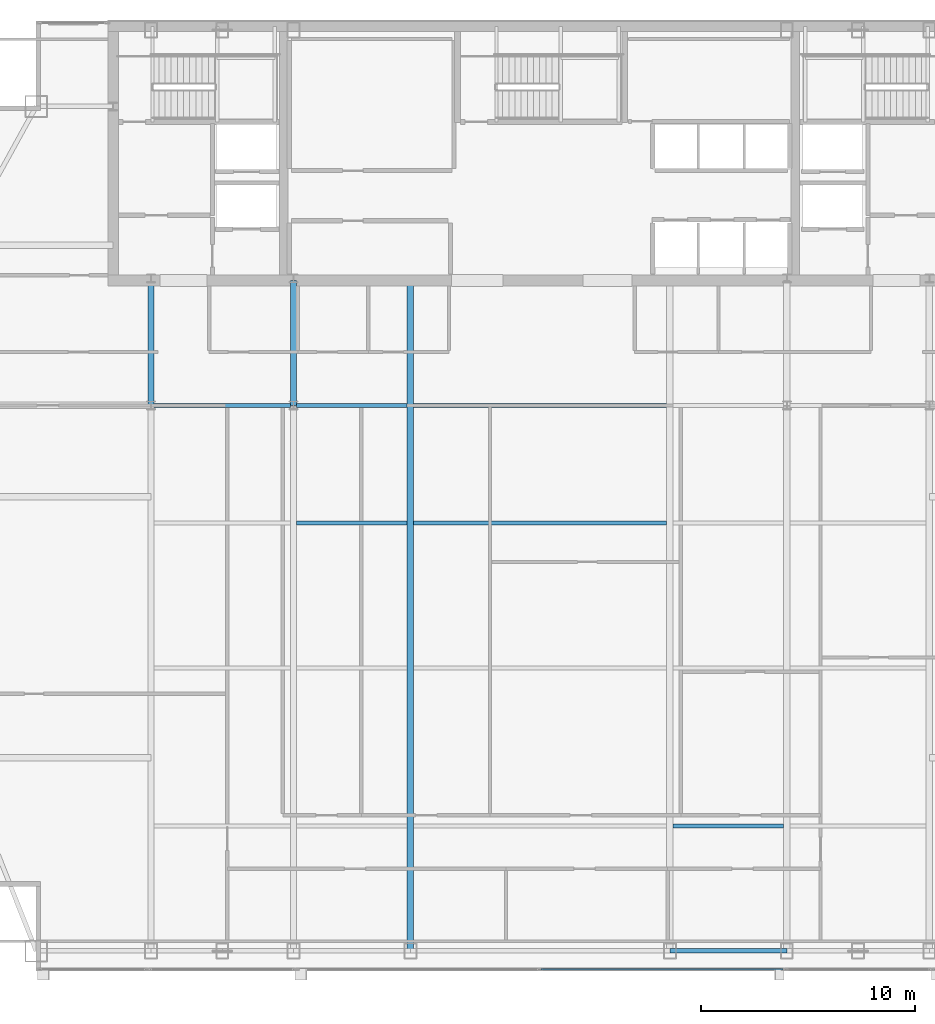
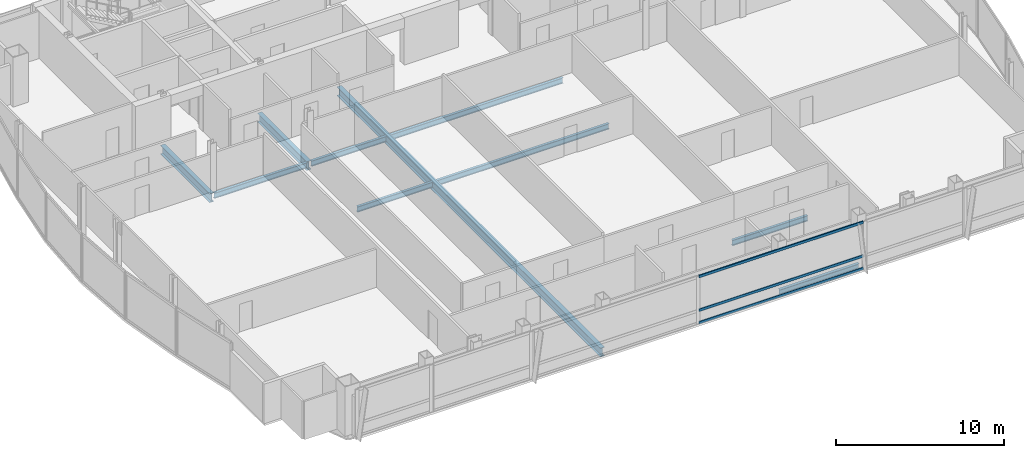
# One storey, part 13 of 30: 10 beams, 3 members, 1 element without a shape of its own.
"""IFC4 building model written with IfcOpenShell, lengths in metres."""

from ifc_helpers import new_model, si_unit, direction, frame, origin, origin_2d, place, context, subcontext, project, spatial, hollow_rectangle, i_section, extrude, material, material_profile, profile_set, type_object, element, aggregate, save


model = new_model("IFC4")

# Units and contexts
model_context = context("Model", 3, precision=1e-05, world=origin(), true_north=direction((0.0, 1.0)))
body_context = subcontext(model_context, "Body", "Model", "MODEL_VIEW")
ifc_project = project(units=[si_unit("LENGTHUNIT", "METRE"), si_unit("AREAUNIT", "SQUARE_METRE"), si_unit("VOLUMEUNIT", "CUBIC_METRE"), si_unit("PLANEANGLEUNIT", "RADIAN"), si_unit("MASSUNIT", "GRAM", prefix="KILO")], contexts=[model_context])

# Site, building, storey
site_placement = place(None, origin())
site = spatial("IfcSite", under=ifc_project, at=site_placement, CompositionType="ELEMENT")
building_placement = place(site_placement, origin())
building = spatial("IfcBuilding", under=site, at=building_placement, Name="Khoronbel Lancet Exchange", CompositionType="ELEMENT")
storey_placement = place(building_placement, frame((0.0, 0.0, 269.800048828125)))
storey = spatial("IfcBuildingStorey", under=building, at=storey_placement, Name="L69", CompositionType="ELEMENT", Elevation=269.800048828125)

# Beams
ifc_material_1 = material(Name="Steel S355", Category="steel")
ifc_material_profile_1 = material_profile(ifc_material_1, i_section(OverallWidth=0.300048828125, OverallDepth=0.64990234375, WebThickness=0.01611328125, FlangeThickness=0.031005859375, at=origin_2d()), Name="HEB 650")
ifc_profile_set_1 = profile_set([ifc_material_profile_1], Name="Steel S355")
beam_type_1 = type_object("IfcBeamType", Name="BM-BG4", PredefinedType="BEAM", material=ifc_profile_set_1)
for number, where, z_axis, x_axis, name in (
    (1, (18.22509765625, 35.699951171875, -0.485107421875), (0.0, 1.0, 0.0), (-1.0, 0.0, 0.0), "Level L69 spine tie girder GN1"),
    (2, (24.89990234375, 35.699951171875, -0.485107421875), (0.0, 1.0, 0.0), (-1.0, 0.0, 0.0), "Level L69 spine tie girder GN2"),
):
    element("IfcBeam", number, at=place(storey_placement, frame(where, z_axis=z_axis, x_axis=x_axis)), inside=storey, type_object=beam_type_1, Name=name, PredefinedType="BEAM", context=body_context, shape_type="SweptSolid", body=[
        extrude(i_section(OverallWidth=0.300048828125, OverallDepth=0.64990234375, WebThickness=0.01611328125, FlangeThickness=0.031005859375, at=origin_2d()), origin(), (0.0, 0.0, 1.0), 5.85009765625),
    ])
beam_1_placement = place(storey_placement, frame((30.375, 10.14990234375, -0.485107421875), z_axis=(0.0, 1.0, 0.0), x_axis=(-1.0, 0.0, 0.0)))
element("IfcBeam", 3, at=beam_1_placement, inside=storey, type_object=beam_type_1, Name="Level L69 primary floor girder G3", PredefinedType="BEAM", context=body_context, shape_type="SweptSolid", body=[
    extrude(i_section(OverallWidth=0.300048828125, OverallDepth=0.64990234375, WebThickness=0.01611328125, FlangeThickness=0.031005859375, at=origin_2d()), origin(), (0.0, 0.0, 1.0), 31.400146484375),
])
ifc_material_profile_2 = material_profile(ifc_material_1, i_section(OverallWidth=0.179931640625, OverallDepth=0.39990234375, WebThickness=0.008544921875, FlangeThickness=0.013427734375, at=origin_2d()), Name="IPE 400")
ifc_profile_set_2 = profile_set([ifc_material_profile_2], Name="Steel S355")
beam_type_2 = type_object("IfcBeamType", Name="BM-BJ5", PredefinedType="JOIST", material=ifc_profile_set_2)
for number, where, z_axis, x_axis, name in (
    (4, (42.675048828125, 16.0, -0.360107421875), (1.0, 0.0, 0.0), (0.0, 1.0, 0.0), "Level L69 secondary composite joist J04"),
    (5, (25.050048828125, 30.199951171875, -0.360107421875), (1.0, 0.0, 0.0), (0.0, 1.0, 0.0), "Level L69 secondary composite joist J12"),
):
    element("IfcBeam", number, at=place(storey_placement, frame(where, z_axis=z_axis, x_axis=x_axis)), inside=storey, type_object=beam_type_2, Name=name, PredefinedType="JOIST", context=body_context, shape_type="SweptSolid", body=[
        extrude(i_section(OverallWidth=0.179931640625, OverallDepth=0.39990234375, WebThickness=0.008544921875, FlangeThickness=0.013427734375, at=origin_2d()), origin(), (0.0, 0.0, 1.0), 5.175048828125),
    ])
beam_2_placement = place(storey_placement, frame((30.52490234375, 30.199951171875, -0.360107421875), z_axis=(1.0, 0.0, 0.0), x_axis=(0.0, 1.0, 0.0)))
element("IfcBeam", 6, at=beam_2_placement, inside=storey, type_object=beam_type_2, Name="Level L69 secondary composite joist J13", PredefinedType="JOIST", context=body_context, shape_type="SweptSolid", body=[
    extrude(i_section(OverallWidth=0.179931640625, OverallDepth=0.39990234375, WebThickness=0.008544921875, FlangeThickness=0.013427734375, at=origin_2d()), origin(), (0.0, 0.0, 1.0), 11.85009765625),
])
beam_3_placement = place(storey_placement, frame((18.375, 35.699951171875, -0.360107421875), z_axis=(1.0, 0.0, 0.0), x_axis=(0.0, 1.0, 0.0)))
element("IfcBeam", 7, at=beam_3_placement, inside=storey, type_object=beam_type_2, Name="Level L69 secondary composite joist J16", PredefinedType="JOIST", context=body_context, shape_type="SweptSolid", body=[
    extrude(i_section(OverallWidth=0.179931640625, OverallDepth=0.39990234375, WebThickness=0.008544921875, FlangeThickness=0.013427734375, at=origin_2d()), origin(), (0.0, 0.0, 1.0), 6.375),
])
beam_4_placement = place(storey_placement, frame((25.050048828125, 35.699951171875, -0.360107421875), z_axis=(1.0, 0.0, 0.0), x_axis=(0.0, 1.0, 0.0)))
element("IfcBeam", 8, at=beam_4_placement, inside=storey, type_object=beam_type_2, Name="Level L69 secondary composite joist J17", PredefinedType="JOIST", context=body_context, shape_type="SweptSolid", body=[
    extrude(i_section(OverallWidth=0.179931640625, OverallDepth=0.39990234375, WebThickness=0.008544921875, FlangeThickness=0.013427734375, at=origin_2d()), origin(), (0.0, 0.0, 1.0), 5.175048828125),
])
beam_5_placement = place(storey_placement, frame((30.52490234375, 35.699951171875, -0.360107421875), z_axis=(1.0, 0.0, 0.0), x_axis=(0.0, 1.0, 0.0)))
element("IfcBeam", 9, at=beam_5_placement, inside=storey, type_object=beam_type_2, Name="Level L69 secondary composite joist J18", PredefinedType="JOIST", context=body_context, shape_type="SweptSolid", body=[
    extrude(i_section(OverallWidth=0.179931640625, OverallDepth=0.39990234375, WebThickness=0.008544921875, FlangeThickness=0.013427734375, at=origin_2d()), origin(), (0.0, 0.0, 1.0), 11.85009765625),
])
ifc_material_profile_3 = material_profile(ifc_material_1, i_section(OverallWidth=0.2099609375, OverallDepth=0.550048828125, WebThickness=0.010986328125, FlangeThickness=0.01708984375, at=origin_2d()), Name="IPE 550")
ifc_profile_set_3 = profile_set([ifc_material_profile_3], Name="Steel S355")
beam_type_3 = type_object("IfcBeamType", Name="BM-BSP3", PredefinedType="SPANDREL", material=ifc_profile_set_3)
beam_6_placement = place(storey_placement, frame((42.52490234375, 10.14990234375, -0.43505859375), z_axis=(1.0, 0.0, 0.0), x_axis=(0.0, 1.0, 0.0)))
element("IfcBeam", 10, at=beam_6_placement, inside=storey, type_object=beam_type_3, Name="Level L69 perimeter spandrel beam SP06", PredefinedType="SPANDREL", context=body_context, shape_type="SweptSolid", body=[
    extrude(i_section(OverallWidth=0.2099609375, OverallDepth=0.550048828125, WebThickness=0.010986328125, FlangeThickness=0.01708984375, at=origin_2d()), origin(), (0.0, 0.0, 1.0), 5.47509765625),
])

# Curtain wall, members
ifc_material_2 = material(Name="Low-E Solar Control Insulating Glass", Category="glass")
curtain_wall_type = type_object("IfcCurtainWallType", Name="CW-3", PredefinedType="NOTDEFINED", material=ifc_material_2)
curtain_wall_placement = place(storey_placement, origin())
curtain_wall = element("IfcCurtainWall", 11, at=curtain_wall_placement, inside=storey, type_object=curtain_wall_type, Name="Unitised curtain wall CW-L69-SCV", PredefinedType="NOTDEFINED")
ifc_material_3 = material(Name="Bronze-Anodised Aluminium 6063-T6", Category="aluminium")
ifc_material_profile_4 = material_profile(ifc_material_3, hollow_rectangle(XDim=0.0849609375, YDim=0.179931640625, WallThickness=0.0048828125, at=origin_2d()), Name="ALU TRANSOM 85x180")
ifc_profile_set_4 = profile_set([ifc_material_profile_4], Name="Bronze-Anodised Aluminium 6063-T6")
member_type = type_object("IfcMemberType", Name="MEM-CWT1", PredefinedType="USERDEFINED", material=ifc_profile_set_4)
member_1_placement = place(storey_placement, frame((36.492431640625, 9.2900390625, 0.04248046875), z_axis=(1.0, 0.0, 0.0), x_axis=(0.0, 1.0, 0.0)))
member_1 = element("IfcMember", 12, at=member_1_placement, type_object=member_type, Name="CW3 transom 2.1", ObjectType="TRANSOM", PredefinedType="USERDEFINED", context=body_context, shape_type="SweptSolid", body=[
    extrude(hollow_rectangle(XDim=0.0849609375, YDim=0.179931640625, WallThickness=0.0048828125, at=origin_2d()), origin(), (0.0, 0.0, 1.0), 11.322509765625),
])
member_2_placement = place(storey_placement, frame((36.492431640625, 9.2900390625, 0.949951171875), z_axis=(1.0, 0.0, 0.0), x_axis=(0.0, 1.0, 0.0)))
member_2 = element("IfcMember", 13, at=member_2_placement, type_object=member_type, Name="CW3 transom 2.2", ObjectType="TRANSOM", PredefinedType="USERDEFINED", context=body_context, shape_type="SweptSolid", body=[
    extrude(hollow_rectangle(XDim=0.0849609375, YDim=0.179931640625, WallThickness=0.0048828125, at=origin_2d()), origin(), (0.0, 0.0, 1.0), 11.322509765625),
])
member_3_placement = place(storey_placement, frame((36.492431640625, 9.2900390625, 3.3974609375), z_axis=(1.0, 0.0, 0.0), x_axis=(0.0, 1.0, 0.0)))
member_3 = element("IfcMember", 14, at=member_3_placement, type_object=member_type, Name="CW3 transom 2.3", ObjectType="TRANSOM", PredefinedType="USERDEFINED", context=body_context, shape_type="SweptSolid", body=[
    extrude(hollow_rectangle(XDim=0.0849609375, YDim=0.179931640625, WallThickness=0.0048828125, at=origin_2d()), origin(), (0.0, 0.0, 1.0), 11.322509765625),
])
aggregate(curtain_wall, [member_1, member_2, member_3])

save(model, "model.ifc")
